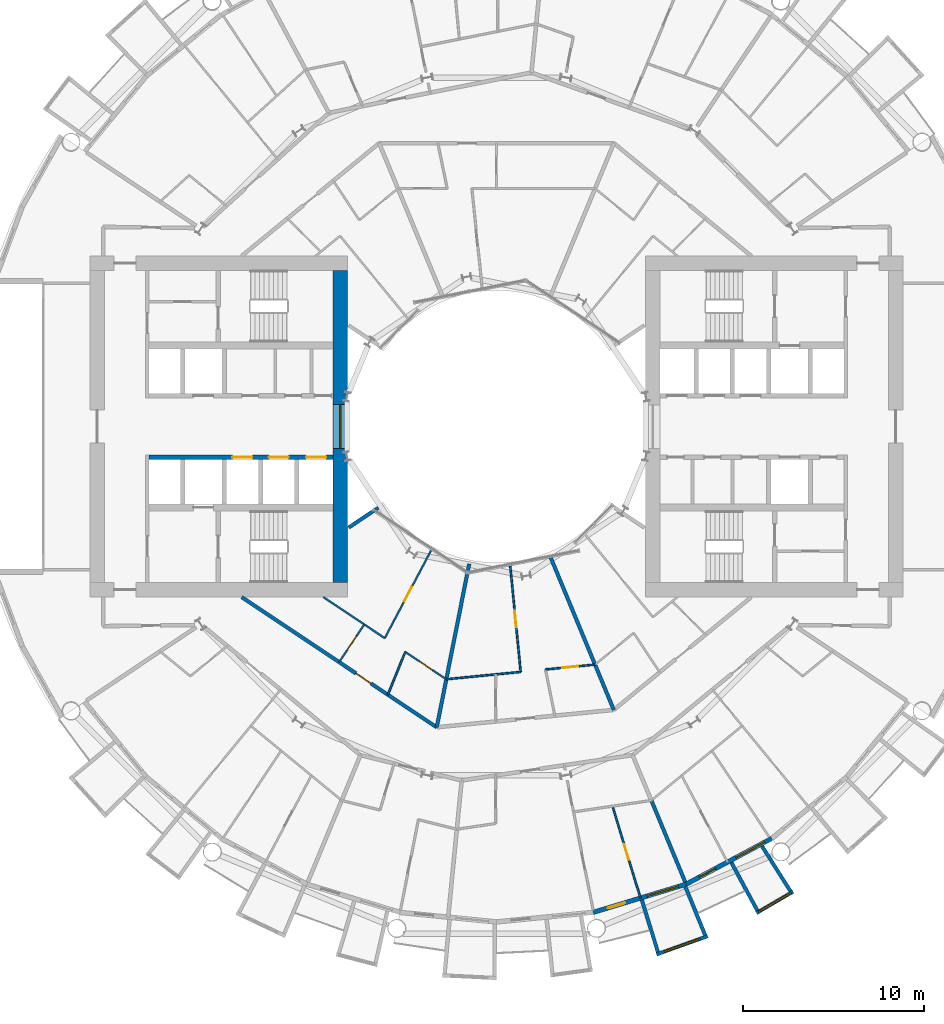
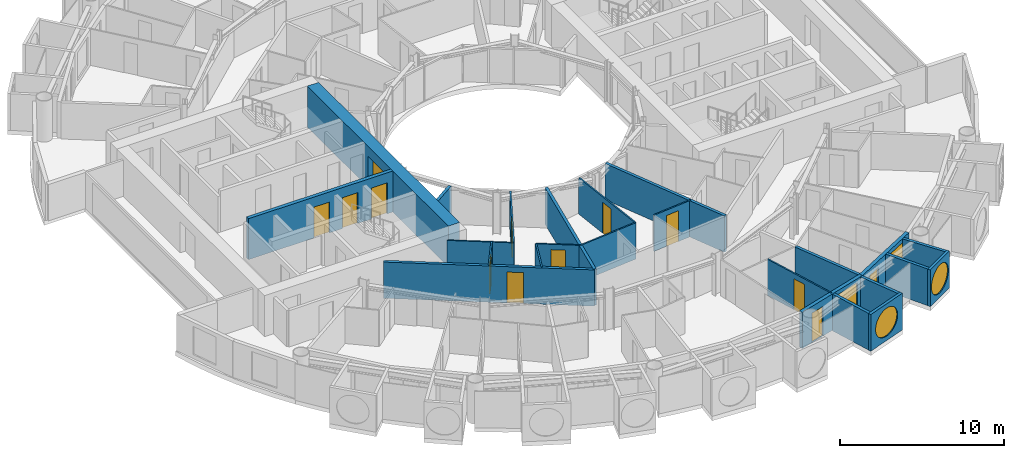
# One storey, part 15 of 26: 24 walls, 12 doors, 5 windows, 17 openings.
"""IFC4 building model written with IfcOpenShell, lengths in metres."""

from ifc_helpers import new_model, si_unit, direction, frame, frame_2d, origin, place, context, subcontext, project, spatial, rectangle, circle, extrude, material, layer, layer_set, type_object, element, fill, save


model = new_model("IFC4")

# Units and contexts
model_context = context("Model", 3, precision=1e-05, world=origin(), true_north=direction((0.0, 1.0)))
body_context = subcontext(model_context, "Body", "Model", "MODEL_VIEW")
ifc_project = project(units=[si_unit("LENGTHUNIT", "METRE"), si_unit("AREAUNIT", "SQUARE_METRE"), si_unit("VOLUMEUNIT", "CUBIC_METRE"), si_unit("PLANEANGLEUNIT", "RADIAN"), si_unit("MASSUNIT", "GRAM", prefix="KILO")], contexts=[model_context])

# Site, building, storey
site_placement = place(None, origin())
site = spatial("IfcSite", under=ifc_project, at=site_placement, CompositionType="ELEMENT")
building_placement = place(site_placement, origin())
building = spatial("IfcBuilding", under=site, at=building_placement, Name="Maasbend Ring Residences", CompositionType="ELEMENT")
storey_placement = place(building_placement, frame((0.0, 0.0, 35.0)))
storey = spatial("IfcBuildingStorey", under=building, at=storey_placement, Name="L09", CompositionType="ELEMENT", Elevation=35.0)

# Wall, openings, doors
ifc_material_1 = material(Name="Concrete C70/85", Category="concrete")
ifc_layer_1 = layer(ifc_material_1, 0.25)
ifc_layer_set_1 = layer_set([ifc_layer_1], Name="Concrete C70/85")
wall_type_1 = type_object("IfcWallType", Name="CORE WALL 250 C70/85", PredefinedType="SHEAR", material=ifc_layer_set_1)
wall_1_placement = place(storey_placement, frame((-9.0, -1.699951171875, 0.0), z_axis=(0.0, 0.0, 1.0), x_axis=(-1.0, 0.0, 0.0)))
wall_1 = element("IfcWall", 1, at=wall_1_placement, inside=storey, type_object=wall_type_1, Name="L09 core W wall SPN", PredefinedType="SHEAR", context=body_context, shape_type="SweptSolid", body=[
    extrude(rectangle(XDim=10.14990234375, YDim=0.25, at=frame_2d((5.074951171875, 0.0))), origin(), (0.0, 0.0, 1.0), 3.050048828125),
])
opening_1_placement = place(wall_1_placement, frame((0.387451171875, 0.0, 0.0)))
opening_1 = element("IfcOpeningElement", 2, at=opening_1_placement, cuts=wall_1, Name="Opening LD-W0901", PredefinedType="OPENING", context=body_context, shape_type="SweptSolid", body=[
    extrude(rectangle(XDim=1.10009765625, YDim=2.300048828125, at=frame_2d((0.550048828125, 1.14990234375))), frame((0.0, 0.135009765625, 0.0), z_axis=(0.0, -1.0, 0.0), x_axis=(1.0, 0.0, 0.0)), (0.0, 0.0, 1.0), 0.27001953125),
])
opening_2_placement = place(wall_1_placement, frame((2.449951171875, 0.0, 0.0)))
opening_2 = element("IfcOpeningElement", 3, at=opening_2_placement, cuts=wall_1, Name="Opening LD-W0902", PredefinedType="OPENING", context=body_context, shape_type="SweptSolid", body=[
    extrude(rectangle(XDim=1.10009765625, YDim=2.300048828125, at=frame_2d((0.550048828125, 1.14990234375))), frame((0.0, 0.135009765625, 0.0), z_axis=(0.0, -1.0, 0.0), x_axis=(1.0, 0.0, 0.0)), (0.0, 0.0, 1.0), 0.27001953125),
])
opening_3_placement = place(wall_1_placement, frame((4.449951171875, 0.0, 0.0)))
opening_3 = element("IfcOpeningElement", 4, at=opening_3_placement, cuts=wall_1, Name="Opening LD-W0903", PredefinedType="OPENING", context=body_context, shape_type="SweptSolid", body=[
    extrude(rectangle(XDim=1.10009765625, YDim=2.300048828125, at=frame_2d((0.550048828125, 1.14990234375))), frame((0.0, 0.135009765625, 0.0), z_axis=(0.0, -1.0, 0.0), x_axis=(1.0, 0.0, 0.0)), (0.0, 0.0, 1.0), 0.27001953125),
])
ifc_material_2 = material(Name="Stainless steel 316", Category="steel")
door_type_1 = type_object("IfcDoorType", Name="LANDING DOOR 1100 X 2300 FD60", OperationType="DOUBLE_DOOR_SLIDING", PredefinedType="DOOR", material=ifc_material_2)
door_1_placement = place(opening_1_placement, origin())
door_1 = element("IfcDoor", 5, at=door_1_placement, inside=storey, type_object=door_type_1, Name="Landing door LR-W1 L09", OperationType="DOUBLE_DOOR_SLIDING", OverallHeight=2.300048828125, OverallWidth=1.10009765625, PredefinedType="DOOR", context=body_context, shape_type="SweptSolid", body=[
    extrude(rectangle(XDim=1.10009765625, YDim=2.300048828125, at=frame_2d((0.550048828125, 1.14990234375))), frame((0.0, 0.02490234375, 0.0), z_axis=(0.0, -1.0, 0.0), x_axis=(1.0, 0.0, 0.0)), (0.0, 0.0, 1.0), 0.050048828125),
])
fill(opening_1, door_1)
door_2_placement = place(opening_2_placement, origin())
door_2 = element("IfcDoor", 6, at=door_2_placement, inside=storey, type_object=door_type_1, Name="Landing door LR-W2 L09", OperationType="DOUBLE_DOOR_SLIDING", OverallHeight=2.300048828125, OverallWidth=1.10009765625, PredefinedType="DOOR", context=body_context, shape_type="SweptSolid", body=[
    extrude(rectangle(XDim=1.10009765625, YDim=2.300048828125, at=frame_2d((0.550048828125, 1.14990234375))), frame((0.0, 0.02490234375, 0.0), z_axis=(0.0, -1.0, 0.0), x_axis=(1.0, 0.0, 0.0)), (0.0, 0.0, 1.0), 0.050048828125),
])
fill(opening_2, door_2)
door_3_placement = place(opening_3_placement, origin())
door_3 = element("IfcDoor", 7, at=door_3_placement, inside=storey, type_object=door_type_1, Name="Landing door LR-W3 L09", OperationType="DOUBLE_DOOR_SLIDING", OverallHeight=2.300048828125, OverallWidth=1.10009765625, PredefinedType="DOOR", context=body_context, shape_type="SweptSolid", body=[
    extrude(rectangle(XDim=1.10009765625, YDim=2.300048828125, at=frame_2d((0.550048828125, 1.14990234375))), frame((0.0, 0.02490234375, 0.0), z_axis=(0.0, -1.0, 0.0), x_axis=(1.0, 0.0, 0.0)), (0.0, 0.0, 1.0), 0.050048828125),
])
fill(opening_3, door_3)

# Wall, opening, window
ifc_material_3 = material(Name="Concrete C70/85", Category="concrete")
ifc_layer_2 = layer(ifc_material_3, 0.800048828125)
ifc_layer_set_2 = layer_set([ifc_layer_2], Name="Concrete C70/85")
wall_type_2 = type_object("IfcWallType", Name="CORE WALL 800 C70/85", PredefinedType="SHEAR", material=ifc_layer_set_2)
wall_2_placement = place(storey_placement, frame((-8.60009765625, 8.60009765625, 0.0), z_axis=(0.0, 0.0, 1.0), x_axis=(0.0, -1.0, 0.0)))
wall_2 = element("IfcWall", 8, at=wall_2_placement, inside=storey, type_object=wall_type_2, Name="L09 core W wall PIN", PredefinedType="SHEAR", context=body_context, shape_type="SweptSolid", body=[
    extrude(rectangle(XDim=17.2001953125, YDim=0.800048828125, at=frame_2d((8.60009765625, 0.0))), origin(), (0.0, 0.0, 1.0), 3.050048828125),
])
opening_4_placement = place(wall_2_placement, frame((7.39990234375, 0.0, 0.10009765625)))
opening_4 = element("IfcOpeningElement", 9, at=opening_4_placement, cuts=wall_2, Name="Opening W-W0901", PredefinedType="OPENING", context=body_context, shape_type="SweptSolid", body=[
    extrude(rectangle(XDim=2.39990234375, YDim=2.199951171875, at=frame_2d((1.199951171875, 1.10009765625))), frame((0.0, 0.41015625, 0.0), z_axis=(0.0, -1.0, 0.0), x_axis=(1.0, 0.0, 0.0)), (0.0, 0.0, 1.0), 0.820068359375),
])
ifc_material_4 = material(Name="Aluminium frame and clear glass", Category="aluminium")
window_type_1 = type_object("IfcWindowType", Name="FIXED WINDOW 2400 X 2200", PartitioningType="SINGLE_PANEL", PredefinedType="WINDOW", material=ifc_material_4)
window_1_placement = place(opening_4_placement, origin())
window_1 = element("IfcWindow", 10, at=window_1_placement, inside=storey, type_object=window_type_1, Name="Lobby window L09", OverallHeight=2.199951171875, OverallWidth=2.39990234375, PartitioningType="SINGLE_PANEL", PredefinedType="WINDOW", context=body_context, shape_type="SweptSolid", body=[
    extrude(rectangle(XDim=2.39990234375, YDim=2.199951171875, at=frame_2d((1.199951171875, 1.10009765625))), frame((0.0, 0.030029296875, 0.0), z_axis=(0.0, -1.0, 0.0), x_axis=(1.0, 0.0, 0.0)), (0.0, 0.0, 1.0), 0.06005859375),
])
fill(opening_4, window_1)

# Wall, opening, door
ifc_material_5 = material(Name="Concrete C30/37", Category="concrete")
ifc_layer_3 = layer(ifc_material_5, 0.199951171875)
ifc_layer_set_3 = layer_set([ifc_layer_3], Name="Concrete C30/37")
wall_type_3 = type_object("IfcWallType", Name="CORRIDOR WALL 200 CONCRETE", PredefinedType="PARTITIONING", material=ifc_layer_set_3)
wall_3_placement = place(storey_placement, frame((-14.035888671875, -9.402099609375, 0.0), z_axis=(0.0, 0.0, 1.0), x_axis=(0.831561346449, -0.555432918625, 0.0)))
wall_3 = element("IfcWall", 11, at=wall_3_placement, inside=storey, type_object=wall_type_3, Name="U-L09-w018", PredefinedType="PARTITIONING", context=body_context, shape_type="SweptSolid", body=[
    extrude(rectangle(XDim=12.9140625, YDim=0.199951171875, at=frame_2d((6.45703125, 0.0))), origin(), (0.0, 0.0, 1.0), 2.699951171875),
])
opening_5_placement = place(wall_3_placement, frame((7.56591796875, 0.0, 0.0)))
opening_5 = element("IfcOpeningElement", 12, at=opening_5_placement, cuts=wall_3, Name="Opening D-0953", PredefinedType="OPENING", context=body_context, shape_type="SweptSolid", body=[
    extrude(rectangle(XDim=1.0, YDim=2.300048828125, at=frame_2d((0.5, 1.14990234375))), frame((0.0, 0.10986328125, 0.0), z_axis=(0.0, -1.0, 0.0), x_axis=(1.0, 0.0, 0.0)), (0.0, 0.0, 1.0), 0.219970703125),
])
ifc_material_6 = material(Name="Timber, fire-rated, painted", Category="wood")
door_type_2 = type_object("IfcDoorType", Name="FLAT ENTRANCE DOOR 1000 X 2300 FIRE-RATED", OperationType="NOTDEFINED", PredefinedType="DOOR", material=ifc_material_6)
door_4_placement = place(opening_5_placement, origin())
door_4 = element("IfcDoor", 13, at=door_4_placement, inside=storey, type_object=door_type_2, Name="D-0953", OperationType="SINGLE_SWING_RIGHT", OverallHeight=2.300048828125, OverallWidth=1.0, PredefinedType="DOOR", context=body_context, shape_type="SweptSolid", body=[
    extrude(rectangle(XDim=1.0, YDim=2.300048828125, at=frame_2d((0.5, 1.14990234375))), frame((0.0, 0.02490234375, 0.0), z_axis=(0.0, -1.0, 0.0), x_axis=(1.0, 0.0, 0.0)), (0.0, 0.0, 1.0), 0.050048828125),
])
fill(opening_5, door_4)

# Wall, opening, window
ifc_material_7 = material(Name="Pale anodised aluminium panel", Category="aluminium")
ifc_layer_4 = layer(ifc_material_7, 0.199951171875)
ifc_layer_set_4 = layer_set([ifc_layer_4], Name="EW-BOX")
wall_type_4 = type_object("IfcWallType", Name="EW-BOX", PredefinedType="SOLIDWALL", material=ifc_layer_set_4)
wall_4_placement = place(storey_placement, frame((8.820068359375, -29.093017578125, -0.030029296875), z_axis=(0.0, 0.0, 1.0), x_axis=(0.941461077774, 0.337121697664, 0.0)))
wall_4 = element("IfcWall", 14, at=wall_4_placement, inside=storey, type_object=wall_type_4, Name="Box front S14", PredefinedType="SOLIDWALL", context=body_context, shape_type="SweptSolid", body=[
    extrude(rectangle(XDim=2.9931640625, YDim=0.199951171875, at=frame_2d((1.49658203125, 0.0))), origin(), (0.0, 0.0, 1.0), 2.72998046875),
])
opening_6_placement = place(wall_4_placement, frame((0.45654296875, 0.0, 0.330078125)))
opening_6 = element("IfcOpeningElement", 15, at=opening_6_placement, cuts=wall_4, Name="Opening W-RD", PredefinedType="OPENING", context=body_context, shape_type="SweptSolid", body=[
    extrude(circle(Radius=1.0400390625, at=frame_2d((1.0400390625, 1.0400390625))), frame((0.0, 0.10986328125, 0.0), z_axis=(0.0, -1.0, 0.0), x_axis=(1.0, 0.0, 0.0)), (0.0, 0.0, 1.0), 0.219970703125),
])
ifc_material_8 = material(Name="Aluminium and clear glass", Category="aluminium")
window_type_2 = type_object("IfcWindowType", Name="W-RD", PartitioningType="SINGLE_PANEL", PredefinedType="WINDOW", material=ifc_material_8)
window_2_placement = place(opening_6_placement, origin())
window_2 = element("IfcWindow", 16, at=window_2_placement, inside=storey, type_object=window_type_2, Name="Round window S14", OverallHeight=2.080078125, OverallWidth=2.080078125, PartitioningType="SINGLE_PANEL", PredefinedType="WINDOW", context=body_context, shape_type="SweptSolid", body=[
    extrude(circle(Radius=1.0400390625, at=frame_2d((1.0400390625, 1.0400390625))), frame((0.0, 0.030029296875, 0.0), z_axis=(0.0, -1.0, 0.0), x_axis=(1.0, 0.0, 0.0)), (0.0, 0.0, 1.0), 0.06005859375),
])
fill(opening_6, window_2)

# Walls
wall_5_placement = place(storey_placement, frame((8.009033203125, -26.092041015625, -0.030029296875), z_axis=(0.0, 0.0, 1.0), x_axis=(0.293406695073, -0.955987715029, 0.0)))
element("IfcWall", 17, at=wall_5_placement, inside=storey, type_object=wall_type_4, Name="Box side wall S14 left", PredefinedType="SOLIDWALL", context=body_context, shape_type="SweptSolid", body=[
    extrude(rectangle(XDim=3.00634765625, YDim=0.199951171875, at=frame_2d((1.503173828125, 0.0))), origin(), (0.0, 0.0, 1.0), 2.72998046875),
])
wall_6_placement = place(storey_placement, frame((10.408935546875, -25.364013671875, -0.030029296875), z_axis=(0.0, 0.0, 1.0), x_axis=(0.379509886562, -0.925187681501, 0.0)))
element("IfcWall", 18, at=wall_6_placement, inside=storey, type_object=wall_type_4, Name="Box side wall S14 right", PredefinedType="SOLIDWALL", context=body_context, shape_type="SweptSolid", body=[
    extrude(rectangle(XDim=2.882568359375, YDim=0.199951171875, at=frame_2d((1.44140625, 0.0))), origin(), (0.0, 0.0, 1.0), 2.72998046875),
])

# Wall, opening, window
wall_7_placement = place(storey_placement, frame((14.326904296875, -26.81201171875, -0.030029296875), z_axis=(0.0, 0.0, 1.0), x_axis=(0.863346521872, 0.504611517081, 0.0)))
wall_7 = element("IfcWall", 19, at=wall_7_placement, inside=storey, type_object=wall_type_4, Name="Box front S16", PredefinedType="SOLIDWALL", context=body_context, shape_type="SweptSolid", body=[
    extrude(rectangle(XDim=2.33642578125, YDim=0.199951171875, at=frame_2d((1.168212890625, 0.0))), origin(), (0.0, 0.0, 1.0), 2.72998046875),
])
opening_7_placement = place(wall_7_placement, frame((0.128173828125, 0.0, 0.330078125)))
opening_7 = element("IfcOpeningElement", 20, at=opening_7_placement, cuts=wall_7, Name="Opening W-RD", PredefinedType="OPENING", context=body_context, shape_type="SweptSolid", body=[
    extrude(circle(Radius=1.0400390625, at=frame_2d((1.0400390625, 1.0400390625))), frame((0.0, 0.10986328125, 0.0), z_axis=(0.0, -1.0, 0.0), x_axis=(1.0, 0.0, 0.0)), (0.0, 0.0, 1.0), 0.219970703125),
])
window_3_placement = place(opening_7_placement, origin())
window_3 = element("IfcWindow", 21, at=window_3_placement, inside=storey, type_object=window_type_2, Name="Round window S16", OverallHeight=2.080078125, OverallWidth=2.080078125, PartitioningType="SINGLE_PANEL", PredefinedType="WINDOW", context=body_context, shape_type="SweptSolid", body=[
    extrude(circle(Radius=1.0400390625, at=frame_2d((1.0400390625, 1.0400390625))), frame((0.0, 0.030029296875, 0.0), z_axis=(0.0, -1.0, 0.0), x_axis=(1.0, 0.0, 0.0)), (0.0, 0.0, 1.0), 0.06005859375),
])
fill(opening_7, window_3)

# Walls
wall_8_placement = place(storey_placement, frame((12.945068359375, -24.029052734375, -0.030029296875), z_axis=(0.0, 0.0, 1.0), x_axis=(0.474424310775, -0.88029629861, 0.0)))
element("IfcWall", 22, at=wall_8_placement, inside=storey, type_object=wall_type_4, Name="Box side wall S16 left", PredefinedType="SOLIDWALL", context=body_context, shape_type="SweptSolid", body=[
    extrude(rectangle(XDim=3.005859375, YDim=0.199951171875, at=frame_2d((1.5029296875, 0.0))), origin(), (0.0, 0.0, 1.0), 2.72998046875),
])
wall_9_placement = place(storey_placement, frame((14.635009765625, -23.1259765625, -0.030029296875), z_axis=(0.0, 0.0, 1.0), x_axis=(0.534437802731, -0.845207805816, 0.0)))
element("IfcWall", 23, at=wall_9_placement, inside=storey, type_object=wall_type_4, Name="Box side wall S16 right", PredefinedType="SOLIDWALL", context=body_context, shape_type="SweptSolid", body=[
    extrude(rectangle(XDim=2.931884765625, YDim=0.199951171875, at=frame_2d((1.4658203125, 0.0))), origin(), (0.0, 0.0, 1.0), 2.72998046875),
])

# Wall, openings, door, window
ifc_material_9 = material(Name="Aluminium clad insulated panel", Category="aluminium")
ifc_layer_5 = layer(ifc_material_9, 0.25)
ifc_layer_set_5 = layer_set([ifc_layer_5], Name="EW-GL")
wall_type_5 = type_object("IfcWallType", Name="EW-GL", PredefinedType="SOLIDWALL", material=ifc_layer_set_5)
wall_10_placement = place(storey_placement, frame((5.325927734375, -26.77490234375, 0.0), z_axis=(0.0, 0.0, 1.0), x_axis=(0.956965678721, 0.290201119486, 0.0)))
wall_10 = element("IfcWall", 24, at=wall_10_placement, inside=storey, type_object=wall_type_5, Name="External wall S07", PredefinedType="SOLIDWALL", context=body_context, shape_type="SweptSolid", body=[
    extrude(rectangle(XDim=5.351318359375, YDim=0.25, at=frame_2d((2.67578125, 0.0))), origin(), (0.0, 0.0, 1.0), 2.699951171875),
])
opening_8_placement = place(wall_10_placement, frame((0.841064453125, 0.0, 0.0)))
opening_8 = element("IfcOpeningElement", 25, at=opening_8_placement, cuts=wall_10, Name="Opening D-LG", PredefinedType="OPENING", context=body_context, shape_type="SweptSolid", body=[
    extrude(rectangle(XDim=1.0, YDim=2.199951171875, at=frame_2d((0.5, 1.10009765625))), frame((0.0, 0.135009765625, 0.0), z_axis=(0.0, -1.0, 0.0), x_axis=(1.0, 0.0, 0.0)), (0.0, 0.0, 1.0), 0.27001953125),
])
opening_9_placement = place(wall_10_placement, frame((3.110595703125, 0.0, 0.300048828125)))
opening_9 = element("IfcOpeningElement", 26, at=opening_9_placement, cuts=wall_10, Name="Opening W-BX", PredefinedType="OPENING", context=body_context, shape_type="SweptSolid", body=[
    extrude(rectangle(XDim=1.800048828125, YDim=2.10009765625, at=frame_2d((0.89990234375, 1.050048828125))), frame((0.0, 0.135009765625, 0.0), z_axis=(0.0, -1.0, 0.0), x_axis=(1.0, 0.0, 0.0)), (0.0, 0.0, 1.0), 0.27001953125),
])
ifc_material_10 = material(Name="Aluminium and clear glass", Category="aluminium")
door_type_3 = type_object("IfcDoorType", Name="D-LG", OperationType="SINGLE_SWING_LEFT", PredefinedType="DOOR", material=ifc_material_10)
door_5_placement = place(opening_8_placement, origin())
door_5 = element("IfcDoor", 27, at=door_5_placement, inside=storey, type_object=door_type_3, Name="Loggia door S13", OperationType="SINGLE_SWING_LEFT", OverallHeight=2.199951171875, OverallWidth=1.0, PredefinedType="DOOR", context=body_context, shape_type="SweptSolid", body=[
    extrude(rectangle(XDim=1.0, YDim=2.199951171875, at=frame_2d((0.5, 1.10009765625))), frame((0.0, 0.02490234375, 0.0), z_axis=(0.0, -1.0, 0.0), x_axis=(1.0, 0.0, 0.0)), (0.0, 0.0, 1.0), 0.050048828125),
])
fill(opening_8, door_5)
ifc_material_11 = material(Name="Aluminium and clear glass", Category="aluminium")
window_type_3 = type_object("IfcWindowType", Name="W-BX", PartitioningType="DOUBLE_PANEL_VERTICAL", PredefinedType="WINDOW", material=ifc_material_11)
window_4_placement = place(opening_9_placement, origin())
window_4 = element("IfcWindow", 28, at=window_4_placement, inside=storey, type_object=window_type_3, Name="Window S14 room to box", OverallHeight=2.10009765625, OverallWidth=1.800048828125, PartitioningType="SINGLE_PANEL", PredefinedType="WINDOW", context=body_context, shape_type="SweptSolid", body=[
    extrude(rectangle(XDim=1.800048828125, YDim=2.10009765625, at=frame_2d((0.89990234375, 1.050048828125))), frame((0.0, 0.030029296875, 0.0), z_axis=(0.0, -1.0, 0.0), x_axis=(1.0, 0.0, 0.0)), (0.0, 0.0, 1.0), 0.06005859375),
])
fill(opening_9, window_4)

wall_11_placement = place(storey_placement, frame((10.447021484375, -25.221923828125, 0.0), z_axis=(0.0, 0.0, 1.0), x_axis=(0.881915646801, 0.471407246368, 0.0)))
wall_11 = element("IfcWall", 29, at=wall_11_placement, inside=storey, type_object=wall_type_5, Name="External wall S08", PredefinedType="SOLIDWALL", context=body_context, shape_type="SweptSolid", body=[
    extrude(rectangle(XDim=5.35205078125, YDim=0.25, at=frame_2d((2.676025390625, 0.0))), origin(), (0.0, 0.0, 1.0), 2.699951171875),
])
opening_10_placement = place(wall_11_placement, frame((0.841064453125, 0.0, 0.0)))
opening_10 = element("IfcOpeningElement", 30, at=opening_10_placement, cuts=wall_11, Name="Opening D-LG", PredefinedType="OPENING", context=body_context, shape_type="SweptSolid", body=[
    extrude(rectangle(XDim=1.0, YDim=2.199951171875, at=frame_2d((0.5, 1.10009765625))), frame((0.0, 0.135009765625, 0.0), z_axis=(0.0, -1.0, 0.0), x_axis=(1.0, 0.0, 0.0)), (0.0, 0.0, 1.0), 0.27001953125),
])
opening_11_placement = place(wall_11_placement, frame((3.110595703125, 0.0, 0.300048828125)))
opening_11 = element("IfcOpeningElement", 31, at=opening_11_placement, cuts=wall_11, Name="Opening W-BX", PredefinedType="OPENING", context=body_context, shape_type="SweptSolid", body=[
    extrude(rectangle(XDim=1.800048828125, YDim=2.10009765625, at=frame_2d((0.89990234375, 1.050048828125))), frame((0.0, 0.135009765625, 0.0), z_axis=(0.0, -1.0, 0.0), x_axis=(1.0, 0.0, 0.0)), (0.0, 0.0, 1.0), 0.27001953125),
])
door_6_placement = place(opening_10_placement, origin())
door_6 = element("IfcDoor", 32, at=door_6_placement, inside=storey, type_object=door_type_3, Name="Loggia door S15", OperationType="SINGLE_SWING_LEFT", OverallHeight=2.199951171875, OverallWidth=1.0, PredefinedType="DOOR", context=body_context, shape_type="SweptSolid", body=[
    extrude(rectangle(XDim=1.0, YDim=2.199951171875, at=frame_2d((0.5, 1.10009765625))), frame((0.0, 0.02490234375, 0.0), z_axis=(0.0, -1.0, 0.0), x_axis=(1.0, 0.0, 0.0)), (0.0, 0.0, 1.0), 0.050048828125),
])
fill(opening_10, door_6)
window_5_placement = place(opening_11_placement, origin())
window_5 = element("IfcWindow", 33, at=window_5_placement, inside=storey, type_object=window_type_3, Name="Window S16 room to box", OverallHeight=2.10009765625, OverallWidth=1.800048828125, PartitioningType="SINGLE_PANEL", PredefinedType="WINDOW", context=body_context, shape_type="SweptSolid", body=[
    extrude(rectangle(XDim=1.800048828125, YDim=2.10009765625, at=frame_2d((0.89990234375, 1.050048828125))), frame((0.0, 0.030029296875, 0.0), z_axis=(0.0, -1.0, 0.0), x_axis=(1.0, 0.0, 0.0)), (0.0, 0.0, 1.0), 0.06005859375),
])
fill(opening_11, window_5)

# Wall
ifc_material_12 = material(Name="Gypsum board on steel studs", Category="steel")
ifc_layer_6 = layer(ifc_material_12, 0.10009765625)
ifc_layer_set_6 = layer_set([ifc_layer_6], Name="PARTITION 100 GYPSUM")
wall_type_6 = type_object("IfcWallType", Name="PARTITION 100 GYPSUM", PredefinedType="PARTITIONING", material=ifc_layer_set_6)
wall_12_placement = place(storey_placement, frame((-2.77197265625, -13.927001953125, 0.0), z_axis=(0.0, 0.0, 1.0), x_axis=(0.995206960104, 0.097791137432, 0.0)))
element("IfcWall", 34, at=wall_12_placement, inside=storey, type_object=wall_type_6, Name="U-L09-w019", PredefinedType="PARTITIONING", context=body_context, shape_type="SweptSolid", body=[
    extrude(rectangle(XDim=4.121826171875, YDim=0.10009765625, at=frame_2d((2.06103515625, 0.0))), origin(), (0.0, 0.0, 1.0), 2.699951171875),
])

# Wall, opening, door
wall_13_placement = place(storey_placement, frame((2.696044921875, -13.388916015625, 0.0), z_axis=(0.0, 0.0, 1.0), x_axis=(0.995215675266, 0.097702403787, 0.0)))
wall_13 = element("IfcWall", 35, at=wall_13_placement, inside=storey, type_object=wall_type_6, Name="U-L09-w020", PredefinedType="PARTITIONING", context=body_context, shape_type="SweptSolid", body=[
    extrude(rectangle(XDim=2.751220703125, YDim=0.10009765625, at=frame_2d((1.37548828125, 0.0))), origin(), (0.0, 0.0, 1.0), 2.699951171875),
])
opening_12_placement = place(wall_13_placement, frame((0.926025390625, 0.0, 0.0)))
opening_12 = element("IfcOpeningElement", 36, at=opening_12_placement, cuts=wall_13, Name="Opening D-0958", PredefinedType="OPENING", context=body_context, shape_type="SweptSolid", body=[
    extrude(rectangle(XDim=0.89990234375, YDim=2.300048828125, at=frame_2d((0.449951171875, 1.14990234375))), frame((0.0, 0.06005859375, 0.0), z_axis=(0.0, -1.0, 0.0), x_axis=(1.0, 0.0, 0.0)), (0.0, 0.0, 1.0), 0.1201171875),
])
ifc_material_13 = material(Name="Timber, painted", Category="wood")
door_type_4 = type_object("IfcDoorType", Name="INTERNAL DOOR 900 X 2300", OperationType="NOTDEFINED", PredefinedType="DOOR", material=ifc_material_13)
door_7_placement = place(opening_12_placement, origin())
door_7 = element("IfcDoor", 37, at=door_7_placement, inside=storey, type_object=door_type_4, Name="D-0958", OperationType="SINGLE_SWING_RIGHT", OverallHeight=2.300048828125, OverallWidth=0.89990234375, PredefinedType="DOOR", context=body_context, shape_type="SweptSolid", body=[
    extrude(rectangle(XDim=0.89990234375, YDim=2.300048828125, at=frame_2d((0.449951171875, 1.14990234375))), frame((0.0, 0.02490234375, 0.0), z_axis=(0.0, -1.0, 0.0), x_axis=(1.0, 0.0, 0.0)), (0.0, 0.0, 1.0), 0.050048828125),
])
fill(opening_12, door_7)

# Wall
wall_14_placement = place(storey_placement, frame((-9.544921875, -9.40087890625, 0.0), z_axis=(0.0, 0.0, 1.0), x_axis=(0.831459707426, -0.555585056429, 0.0)))
element("IfcWall", 38, at=wall_14_placement, inside=storey, type_object=wall_type_6, Name="U-L09-w023", PredefinedType="PARTITIONING", context=body_context, shape_type="SweptSolid", body=[
    extrude(rectangle(XDim=4.073486328125, YDim=0.10009765625, at=frame_2d((2.03662109375, 0.0))), origin(), (0.0, 0.0, 1.0), 2.699951171875),
])

# Wall, opening, door
wall_15_placement = place(storey_placement, frame((-5.029052734375, -12.41796875, 0.0), z_axis=(0.0, 0.0, 1.0), x_axis=(0.831538390496, -0.555467285384, 0.0)))
wall_15 = element("IfcWall", 39, at=wall_15_placement, inside=storey, type_object=wall_type_6, Name="U-L09-w024", PredefinedType="PARTITIONING", context=body_context, shape_type="SweptSolid", body=[
    extrude(rectangle(XDim=2.716796875, YDim=0.10009765625, at=frame_2d((1.3583984375, 0.0))), origin(), (0.0, 0.0, 1.0), 2.699951171875),
])
opening_13_placement = place(wall_15_placement, frame((0.907958984375, 0.0, 0.0)))
opening_13 = element("IfcOpeningElement", 40, at=opening_13_placement, cuts=wall_15, Name="Opening D-0954", PredefinedType="OPENING", context=body_context, shape_type="SweptSolid", body=[
    extrude(rectangle(XDim=0.89990234375, YDim=2.300048828125, at=frame_2d((0.449951171875, 1.14990234375))), frame((0.0, 0.06005859375, 0.0), z_axis=(0.0, -1.0, 0.0), x_axis=(1.0, 0.0, 0.0)), (0.0, 0.0, 1.0), 0.1201171875),
])
door_8_placement = place(opening_13_placement, origin())
door_8 = element("IfcDoor", 41, at=door_8_placement, inside=storey, type_object=door_type_4, Name="D-0954", OperationType="SINGLE_SWING_LEFT", OverallHeight=2.300048828125, OverallWidth=0.89990234375, PredefinedType="DOOR", context=body_context, shape_type="SweptSolid", body=[
    extrude(rectangle(XDim=0.89990234375, YDim=2.300048828125, at=frame_2d((0.449951171875, 1.14990234375))), frame((0.0, 0.02490234375, 0.0), z_axis=(0.0, -1.0, 0.0), x_axis=(1.0, 0.0, 0.0)), (0.0, 0.0, 1.0), 0.050048828125),
])
fill(opening_13, door_8)

wall_16_placement = place(storey_placement, frame((-8.674072265625, -12.98193359375, 0.0), z_axis=(0.0, 0.0, 1.0), x_axis=(0.555355163998, 0.831613276602, 0.0)))
wall_16 = element("IfcWall", 42, at=wall_16_placement, inside=storey, type_object=wall_type_6, Name="U-L09-w042", PredefinedType="PARTITIONING", context=body_context, shape_type="SweptSolid", body=[
    extrude(rectangle(XDim=2.493896484375, YDim=0.10009765625, at=frame_2d((1.2470703125, 0.0))), origin(), (0.0, 0.0, 1.0), 2.699951171875),
])
opening_14_placement = place(wall_16_placement, frame((0.797119140625, 0.0, 0.0)))
opening_14 = element("IfcOpeningElement", 43, at=opening_14_placement, cuts=wall_16, Name="Opening D-0955", PredefinedType="OPENING", context=body_context, shape_type="SweptSolid", body=[
    extrude(rectangle(XDim=0.89990234375, YDim=2.300048828125, at=frame_2d((0.449951171875, 1.14990234375))), frame((0.0, 0.06005859375, 0.0), z_axis=(0.0, -1.0, 0.0), x_axis=(1.0, 0.0, 0.0)), (0.0, 0.0, 1.0), 0.1201171875),
])
door_9_placement = place(opening_14_placement, origin())
door_9 = element("IfcDoor", 44, at=door_9_placement, inside=storey, type_object=door_type_4, Name="D-0955", OperationType="SINGLE_SWING_RIGHT", OverallHeight=2.300048828125, OverallWidth=0.89990234375, PredefinedType="DOOR", context=body_context, shape_type="SweptSolid", body=[
    extrude(rectangle(XDim=0.89990234375, YDim=2.300048828125, at=frame_2d((0.449951171875, 1.14990234375))), frame((0.0, 0.02490234375, 0.0), z_axis=(0.0, -1.0, 0.0), x_axis=(1.0, 0.0, 0.0)), (0.0, 0.0, 1.0), 0.050048828125),
])
fill(opening_14, door_9)

wall_17_placement = place(storey_placement, frame((-6.158935546875, -11.6630859375, 0.0), z_axis=(0.0, 0.0, 1.0), x_axis=(0.466976820365, 0.884269556889, 0.0)))
wall_17 = element("IfcWall", 45, at=wall_17_placement, inside=storey, type_object=wall_type_6, Name="U-L09-w048", PredefinedType="PARTITIONING", context=body_context, shape_type="SweptSolid", body=[
    extrude(rectangle(XDim=5.46923828125, YDim=0.10009765625, at=frame_2d((2.734619140625, 0.0))), origin(), (0.0, 0.0, 1.0), 2.699951171875),
])
opening_15_placement = place(wall_17_placement, frame((2.283935546875, 0.0, 0.0)))
opening_15 = element("IfcOpeningElement", 46, at=opening_15_placement, cuts=wall_17, Name="Opening D-0956", PredefinedType="OPENING", context=body_context, shape_type="SweptSolid", body=[
    extrude(rectangle(XDim=0.89990234375, YDim=2.300048828125, at=frame_2d((0.449951171875, 1.14990234375))), frame((0.0, 0.06005859375, 0.0), z_axis=(0.0, -1.0, 0.0), x_axis=(1.0, 0.0, 0.0)), (0.0, 0.0, 1.0), 0.1201171875),
])
door_10_placement = place(opening_15_placement, origin())
door_10 = element("IfcDoor", 47, at=door_10_placement, inside=storey, type_object=door_type_4, Name="D-0956", OperationType="SINGLE_SWING_LEFT", OverallHeight=2.300048828125, OverallWidth=0.89990234375, PredefinedType="DOOR", context=body_context, shape_type="SweptSolid", body=[
    extrude(rectangle(XDim=0.89990234375, YDim=2.300048828125, at=frame_2d((0.449951171875, 1.14990234375))), frame((0.0, 0.02490234375, 0.0), z_axis=(0.0, -1.0, 0.0), x_axis=(1.0, 0.0, 0.0)), (0.0, 0.0, 1.0), 0.050048828125),
])
fill(opening_15, door_10)

# Wall
wall_18_placement = place(storey_placement, frame((-5.986083984375, -14.779052734375, 0.0), z_axis=(0.0, 0.0, 1.0), x_axis=(0.375649498413, 0.926761811008, 0.0)))
element("IfcWall", 48, at=wall_18_placement, inside=storey, type_object=wall_type_6, Name="U-L09-w049", PredefinedType="PARTITIONING", context=body_context, shape_type="SweptSolid", body=[
    extrude(rectangle(XDim=2.547607421875, YDim=0.10009765625, at=frame_2d((1.27392578125, 0.0))), origin(), (0.0, 0.0, 1.0), 2.699951171875),
])

# Wall, opening, door
wall_19_placement = place(storey_placement, frame((0.757080078125, -7.68310546875, 0.0), z_axis=(0.0, 0.0, 1.0), x_axis=(0.097979463572, -0.995188436789, 0.0)))
wall_19 = element("IfcWall", 49, at=wall_19_placement, inside=storey, type_object=wall_type_6, Name="U-L09-w062", PredefinedType="PARTITIONING", context=body_context, shape_type="SweptSolid", body=[
    extrude(rectangle(XDim=5.8681640625, YDim=0.10009765625, at=frame_2d((2.93408203125, 0.0))), origin(), (0.0, 0.0, 1.0), 2.699951171875),
])
opening_16_placement = place(wall_19_placement, frame((2.48388671875, 0.0, 0.0)))
opening_16 = element("IfcOpeningElement", 50, at=opening_16_placement, cuts=wall_19, Name="Opening D-0960", PredefinedType="OPENING", context=body_context, shape_type="SweptSolid", body=[
    extrude(rectangle(XDim=0.89990234375, YDim=2.300048828125, at=frame_2d((0.449951171875, 1.14990234375))), frame((0.0, 0.06005859375, 0.0), z_axis=(0.0, -1.0, 0.0), x_axis=(1.0, 0.0, 0.0)), (0.0, 0.0, 1.0), 0.1201171875),
])
door_11_placement = place(opening_16_placement, origin())
door_11 = element("IfcDoor", 51, at=door_11_placement, inside=storey, type_object=door_type_4, Name="D-0960", OperationType="SINGLE_SWING_RIGHT", OverallHeight=2.300048828125, OverallWidth=0.89990234375, PredefinedType="DOOR", context=body_context, shape_type="SweptSolid", body=[
    extrude(rectangle(XDim=0.89990234375, YDim=2.300048828125, at=frame_2d((0.449951171875, 1.14990234375))), frame((0.0, 0.02490234375, 0.0), z_axis=(0.0, -1.0, 0.0), x_axis=(1.0, 0.0, 0.0)), (0.0, 0.0, 1.0), 0.050048828125),
])
fill(opening_16, door_11)

wall_20_placement = place(storey_placement, frame((6.389892578125, -20.9208984375, 0.0), z_axis=(0.0, 0.0, 1.0), x_axis=(0.292081613207, -0.956393397732, 0.0)))
wall_20 = element("IfcWall", 52, at=wall_20_placement, inside=storey, type_object=wall_type_6, Name="U-L09-w072", PredefinedType="PARTITIONING", context=body_context, shape_type="SweptSolid", body=[
    extrude(rectangle(XDim=5.30029296875, YDim=0.10009765625, at=frame_2d((2.650146484375, 0.0))), origin(), (0.0, 0.0, 1.0), 2.699951171875),
])
opening_17_placement = place(wall_20_placement, frame((2.199951171875, 0.0, 0.0)))
opening_17 = element("IfcOpeningElement", 53, at=opening_17_placement, cuts=wall_20, Name="Opening D-0946", PredefinedType="OPENING", context=body_context, shape_type="SweptSolid", body=[
    extrude(rectangle(XDim=0.89990234375, YDim=2.300048828125, at=frame_2d((0.449951171875, 1.14990234375))), frame((0.0, 0.06005859375, 0.0), z_axis=(0.0, -1.0, 0.0), x_axis=(1.0, 0.0, 0.0)), (0.0, 0.0, 1.0), 0.1201171875),
])
door_12_placement = place(opening_17_placement, origin())
door_12 = element("IfcDoor", 54, at=door_12_placement, inside=storey, type_object=door_type_4, Name="D-0946", OperationType="SINGLE_SWING_LEFT", OverallHeight=2.300048828125, OverallWidth=0.89990234375, PredefinedType="DOOR", context=body_context, shape_type="SweptSolid", body=[
    extrude(rectangle(XDim=0.89990234375, YDim=2.300048828125, at=frame_2d((0.449951171875, 1.14990234375))), frame((0.0, 0.02490234375, 0.0), z_axis=(0.0, -1.0, 0.0), x_axis=(1.0, 0.0, 0.0)), (0.0, 0.0, 1.0), 0.050048828125),
])
fill(opening_17, door_12)

# Walls
ifc_material_14 = material(Name="Concrete C30/37", Category="concrete")
ifc_layer_7 = layer(ifc_material_14, 0.199951171875)
ifc_layer_set_7 = layer_set([ifc_layer_7], Name="Concrete C30/37")
wall_type_7 = type_object("IfcWallType", Name="PARTY WALL 200 CONCRETE", PredefinedType="PARTITIONING", material=ifc_layer_set_7)
wall_21_placement = place(storey_placement, frame((-6.512939453125, -4.471923828125, 0.0), z_axis=(0.0, 0.0, 1.0), x_axis=(-0.831417956244, -0.555647533996, 0.0)))
element("IfcWall", 55, at=wall_21_placement, inside=storey, type_object=wall_type_7, Name="U-L09-w027", PredefinedType="PARTITIONING", context=body_context, shape_type="SweptSolid", body=[
    extrude(rectangle(XDim=1.9619140625, YDim=0.199951171875, at=frame_2d((0.98095703125, 0.0))), origin(), (0.0, 0.0, 1.0), 2.699951171875),
])
wall_22_placement = place(storey_placement, frame((-3.2919921875, -16.575927734375, 0.0), z_axis=(0.0, 0.0, 1.0), x_axis=(0.194683825545, 0.980866050015, 0.0)))
element("IfcWall", 56, at=wall_22_placement, inside=storey, type_object=wall_type_7, Name="U-L09-w053", PredefinedType="PARTITIONING", context=body_context, shape_type="SweptSolid", body=[
    extrude(rectangle(XDim=9.179443359375, YDim=0.199951171875, at=frame_2d((4.58984375, 0.0))), origin(), (0.0, 0.0, 1.0), 2.699951171875),
])
wall_23_placement = place(storey_placement, frame((2.950927734375, -7.133056640625, 0.0), z_axis=(0.0, 0.0, 1.0), x_axis=(0.382518543471, -0.92394781449, 0.0)))
element("IfcWall", 57, at=wall_23_placement, inside=storey, type_object=wall_type_7, Name="U-L09-w065", PredefinedType="PARTITIONING", context=body_context, shape_type="SweptSolid", body=[
    extrude(rectangle(XDim=9.18115234375, YDim=0.199951171875, at=frame_2d((4.590576171875, 0.0))), origin(), (0.0, 0.0, 1.0), 2.699951171875),
])
wall_24_placement = place(storey_placement, frame((8.533935546875, -20.60302734375, 0.0), z_axis=(0.0, 0.0, 1.0), x_axis=(0.382651153718, -0.923892902104, 0.0)))
element("IfcWall", 58, at=wall_24_placement, inside=storey, type_object=wall_type_7, Name="U-L09-w077", PredefinedType="PARTITIONING", context=body_context, shape_type="SweptSolid", body=[
    extrude(rectangle(XDim=4.873779296875, YDim=0.199951171875, at=frame_2d((2.43701171875, 0.0))), origin(), (0.0, 0.0, 1.0), 2.699951171875),
])

save(model, "model.ifc")
